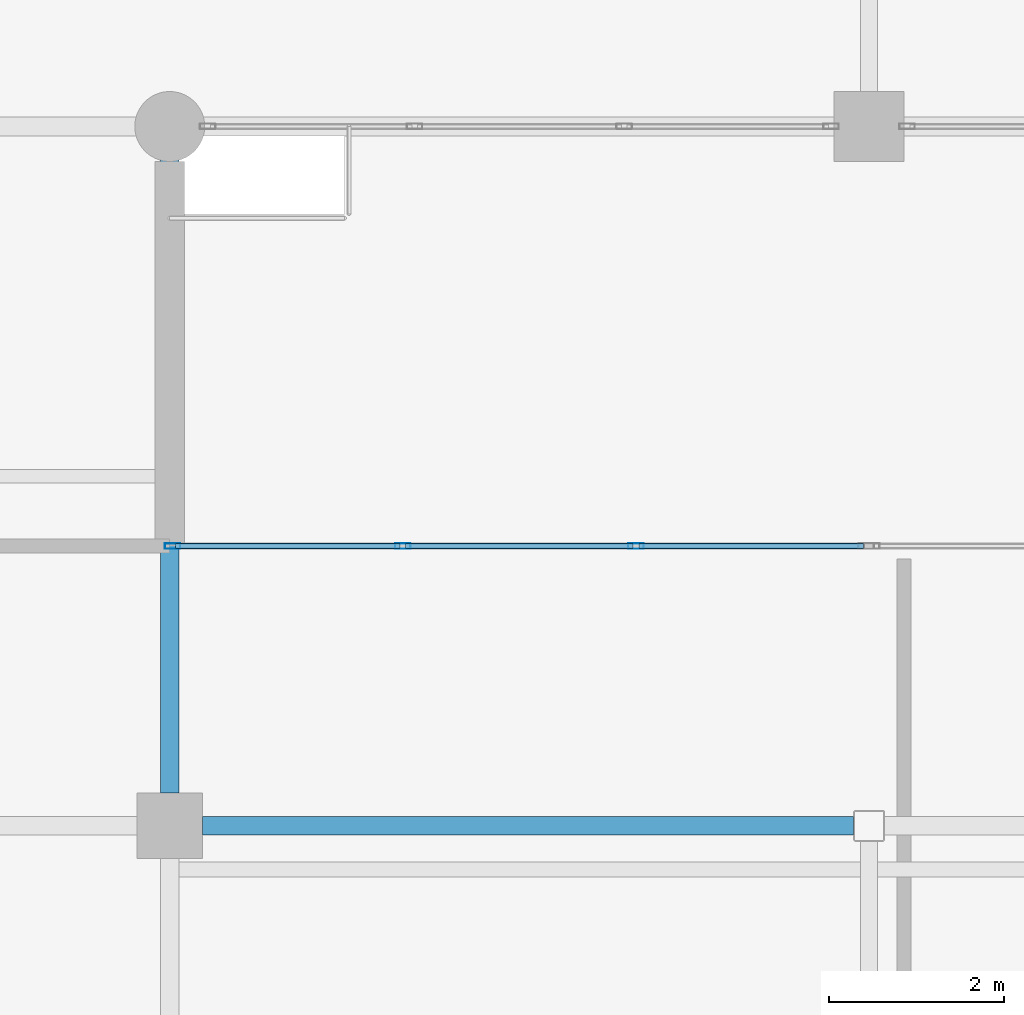
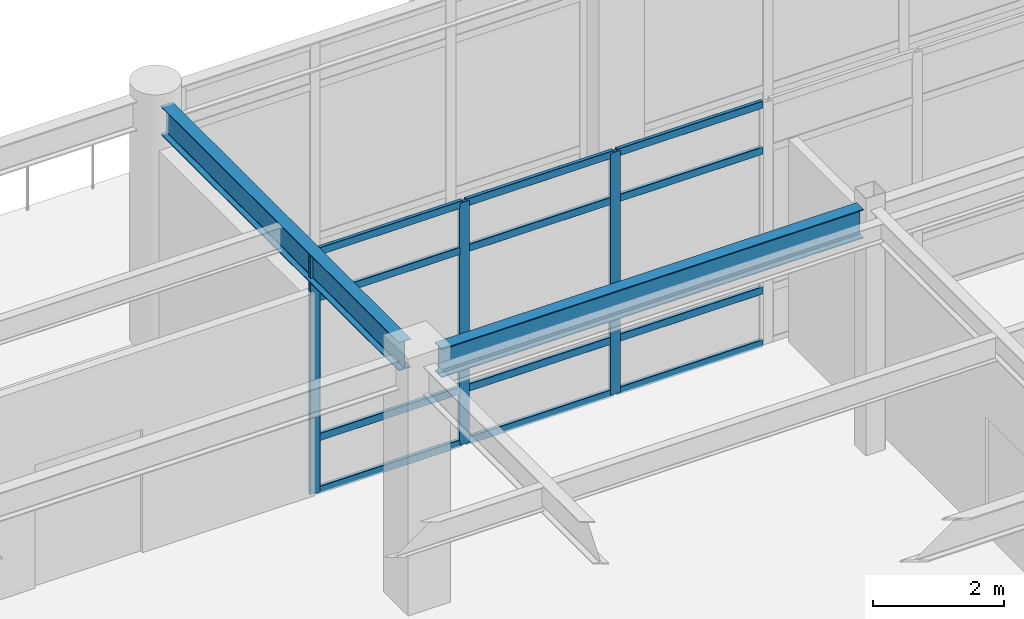
# One storey, part 33 of 117: 15 members, 2 beams, 1 element without a shape of its own.
"""IFC4 building model written with IfcOpenShell, lengths in metres."""

from ifc_helpers import new_model, si_unit, direction, frame, origin, origin_2d, place, context, subcontext, project, spatial, hollow_rectangle, i_section, extrude, material, material_profile, profile_set, type_object, element, aggregate, save


model = new_model("IFC4")

# Units and contexts
model_context = context("Model", 3, precision=1e-05, world=origin(), true_north=direction((0.0, 1.0)))
body_context = subcontext(model_context, "Body", "Model", "MODEL_VIEW")
ifc_project = project(units=[si_unit("LENGTHUNIT", "METRE"), si_unit("AREAUNIT", "SQUARE_METRE"), si_unit("VOLUMEUNIT", "CUBIC_METRE"), si_unit("PLANEANGLEUNIT", "RADIAN"), si_unit("MASSUNIT", "GRAM", prefix="KILO")], contexts=[model_context])

# Site, building, storey
site_placement = place(None, origin())
site = spatial("IfcSite", under=ifc_project, at=site_placement, CompositionType="ELEMENT")
building_placement = place(site_placement, origin())
building = spatial("IfcBuilding", under=site, at=building_placement, Name="Solmirada Galleria", CompositionType="ELEMENT")
storey_placement = place(building_placement, frame((0.0, 0.0, 5.60009765625)))
storey = spatial("IfcBuildingStorey", under=building, at=storey_placement, Name="L01", CompositionType="ELEMENT", Elevation=5.60009765625)

# Beams
ifc_material_1 = material(Name="Steel S355 / ASTM A992 Grade 50", Category="steel")
ifc_material_profile_1 = material_profile(ifc_material_1, i_section(OverallWidth=0.2099609375, OverallDepth=0.537109375, WebThickness=0.010986328125, FlangeThickness=0.017333984375, FilletRadius=0.014892578125, at=origin_2d()), Name="W21X68")
ifc_profile_set_1 = profile_set([ifc_material_profile_1], Name="Steel S355 / ASTM A992 Grade 50")
beam_type = type_object("IfcBeamType", Name="BM-GIRD-W21B", PredefinedType="BEAM", material=ifc_profile_set_1)
beam_1_placement = place(storey_placement, frame((96.375, 40.0, 4.29150390625), z_axis=(1.0, 0.0, 0.0), x_axis=(0.0, 1.0, 0.0)))
element("IfcBeam", 1, at=beam_1_placement, inside=storey, type_object=beam_type, Name="Primary beam L02 X(96..104, 40)", PredefinedType="BEAM", context=body_context, shape_type="SweptSolid", body=[
    extrude(i_section(OverallWidth=0.2099609375, OverallDepth=0.537109375, WebThickness=0.010986328125, FlangeThickness=0.017333984375, FilletRadius=0.014892578125, at=origin_2d()), origin(), (0.0, 0.0, 1.0), 7.447021484375),
])
beam_2_placement = place(storey_placement, frame((96.0, 40.375, 4.29150390625), z_axis=(0.0, 1.0, 0.0), x_axis=(-1.0, 0.0, 0.0)))
element("IfcBeam", 2, at=beam_2_placement, inside=storey, type_object=beam_type, Name="Primary girder L02 Y(96, 40..48)", PredefinedType="BEAM", context=body_context, shape_type="SweptSolid", body=[
    extrude(i_section(OverallWidth=0.2099609375, OverallDepth=0.537109375, WebThickness=0.010986328125, FlangeThickness=0.017333984375, FilletRadius=0.014892578125, at=origin_2d()), origin(), (0.0, 0.0, 1.0), 7.2890625),
])

# Curtain wall, members
ifc_material_2 = material(Name="Impact-resistant low-E double glazing", Category="glass")
curtain_wall_type = type_object("IfcCurtainWallType", Name="CW-FZ5-L01-B3-L080", PredefinedType="NOTDEFINED", material=ifc_material_2)
curtain_wall_placement = place(storey_placement, origin())
curtain_wall = element("IfcCurtainWall", 3, at=curtain_wall_placement, inside=storey, type_object=curtain_wall_type, Name="Terrace and arcade storefront CW-L01-073", PredefinedType="NOTDEFINED")
ifc_material_3 = material(Name="Anodised aluminium framing", Category="aluminium")
ifc_material_profile_2 = material_profile(ifc_material_3, hollow_rectangle(XDim=0.06494140625, YDim=0.179931640625, WallThickness=0.00390625, InnerFilletRadius=0.00390625, OuterFilletRadius=0.008056640625, at=origin_2d()), Name="ALU-MULL-180X65")
ifc_profile_set_2 = profile_set([ifc_material_profile_2], Name="Anodised aluminium framing")
member_type_1 = type_object("IfcMemberType", Name="CW-MULL-180", PredefinedType="MULLION", material=ifc_profile_set_2)
member_1_placement = place(storey_placement, frame((96.032470703125, 43.199951171875, 0.0), z_axis=(0.0, 0.0, 1.0), x_axis=(0.0, 1.0, 0.0)))
member_1 = element("IfcMember", 4, at=member_1_placement, type_object=member_type_1, Name="CW17 mullion 1", PredefinedType="MULLION", context=body_context, shape_type="SweptSolid", body=[
    extrude(hollow_rectangle(XDim=0.06494140625, YDim=0.179931640625, WallThickness=0.00390625, InnerFilletRadius=0.00390625, OuterFilletRadius=0.008056640625, at=origin_2d()), origin(), (0.0, 0.0, 1.0), 4.52001953125),
])
member_2_placement = place(storey_placement, frame((98.666748046875, 43.199951171875, 0.0), z_axis=(0.0, 0.0, 1.0), x_axis=(0.0, 1.0, 0.0)))
member_2 = element("IfcMember", 5, at=member_2_placement, type_object=member_type_1, Name="CW17 mullion 2", PredefinedType="MULLION", context=body_context, shape_type="SweptSolid", body=[
    extrude(hollow_rectangle(XDim=0.06494140625, YDim=0.179931640625, WallThickness=0.00390625, InnerFilletRadius=0.00390625, OuterFilletRadius=0.008056640625, at=origin_2d()), origin(), (0.0, 0.0, 1.0), 4.52001953125),
])
member_3_placement = place(storey_placement, frame((101.333251953125, 43.199951171875, 0.0), z_axis=(0.0, 0.0, 1.0), x_axis=(0.0, 1.0, 0.0)))
member_3 = element("IfcMember", 6, at=member_3_placement, type_object=member_type_1, Name="CW17 mullion 3", PredefinedType="MULLION", context=body_context, shape_type="SweptSolid", body=[
    extrude(hollow_rectangle(XDim=0.06494140625, YDim=0.179931640625, WallThickness=0.00390625, InnerFilletRadius=0.00390625, OuterFilletRadius=0.008056640625, at=origin_2d()), origin(), (0.0, 0.0, 1.0), 4.52001953125),
])
ifc_material_profile_3 = material_profile(ifc_material_3, hollow_rectangle(XDim=0.06494140625, YDim=0.139892578125, WallThickness=0.00341796875, InnerFilletRadius=0.00341796875, OuterFilletRadius=0.007080078125, at=origin_2d()), Name="ALU-TRAN-140X65")
ifc_profile_set_3 = profile_set([ifc_material_profile_3], Name="Anodised aluminium framing")
member_type_2 = type_object("IfcMemberType", Name="CW-TRAN-140", PredefinedType="USERDEFINED", material=ifc_profile_set_3)
member_4_placement = place(storey_placement, frame((96.06494140625, 43.199951171875, 0.032470703125), z_axis=(1.0, 0.0, 0.0), x_axis=(0.0, 1.0, 0.0)))
member_4 = element("IfcMember", 7, at=member_4_placement, type_object=member_type_2, Name="CW17 transom 1.1", ObjectType="TRANSOM", PredefinedType="USERDEFINED", context=body_context, shape_type="SweptSolid", body=[
    extrude(hollow_rectangle(XDim=0.06494140625, YDim=0.139892578125, WallThickness=0.00341796875, InnerFilletRadius=0.00341796875, OuterFilletRadius=0.007080078125, at=origin_2d()), origin(), (0.0, 0.0, 1.0), 2.5693359375),
])
member_5_placement = place(storey_placement, frame((96.06494140625, 43.199951171875, 1.02001953125), z_axis=(1.0, 0.0, 0.0), x_axis=(0.0, 1.0, 0.0)))
member_5 = element("IfcMember", 8, at=member_5_placement, type_object=member_type_2, Name="CW17 transom 1.2", ObjectType="TRANSOM", PredefinedType="USERDEFINED", context=body_context, shape_type="SweptSolid", body=[
    extrude(hollow_rectangle(XDim=0.06494140625, YDim=0.139892578125, WallThickness=0.00341796875, InnerFilletRadius=0.00341796875, OuterFilletRadius=0.007080078125, at=origin_2d()), origin(), (0.0, 0.0, 1.0), 2.5693359375),
])
member_6_placement = place(storey_placement, frame((96.06494140625, 43.199951171875, 3.6298828125), z_axis=(1.0, 0.0, 0.0), x_axis=(0.0, 1.0, 0.0)))
member_6 = element("IfcMember", 9, at=member_6_placement, type_object=member_type_2, Name="CW17 transom 1.3", ObjectType="TRANSOM", PredefinedType="USERDEFINED", context=body_context, shape_type="SweptSolid", body=[
    extrude(hollow_rectangle(XDim=0.06494140625, YDim=0.139892578125, WallThickness=0.00341796875, InnerFilletRadius=0.00341796875, OuterFilletRadius=0.007080078125, at=origin_2d()), origin(), (0.0, 0.0, 1.0), 2.5693359375),
])
member_7_placement = place(storey_placement, frame((96.06494140625, 43.199951171875, 4.4873046875), z_axis=(1.0, 0.0, 0.0), x_axis=(0.0, 1.0, 0.0)))
member_7 = element("IfcMember", 10, at=member_7_placement, type_object=member_type_2, Name="CW17 transom 1.4", ObjectType="TRANSOM", PredefinedType="USERDEFINED", context=body_context, shape_type="SweptSolid", body=[
    extrude(hollow_rectangle(XDim=0.06494140625, YDim=0.139892578125, WallThickness=0.00341796875, InnerFilletRadius=0.00341796875, OuterFilletRadius=0.007080078125, at=origin_2d()), origin(), (0.0, 0.0, 1.0), 2.5693359375),
])
member_8_placement = place(storey_placement, frame((98.69921875, 43.199951171875, 0.032470703125), z_axis=(1.0, 0.0, 0.0), x_axis=(0.0, 1.0, 0.0)))
member_8 = element("IfcMember", 11, at=member_8_placement, type_object=member_type_2, Name="CW17 transom 2.1", ObjectType="TRANSOM", PredefinedType="USERDEFINED", context=body_context, shape_type="SweptSolid", body=[
    extrude(hollow_rectangle(XDim=0.06494140625, YDim=0.139892578125, WallThickness=0.00341796875, InnerFilletRadius=0.00341796875, OuterFilletRadius=0.007080078125, at=origin_2d()), origin(), (0.0, 0.0, 1.0), 2.6015625),
])
member_9_placement = place(storey_placement, frame((98.69921875, 43.199951171875, 1.02001953125), z_axis=(1.0, 0.0, 0.0), x_axis=(0.0, 1.0, 0.0)))
member_9 = element("IfcMember", 12, at=member_9_placement, type_object=member_type_2, Name="CW17 transom 2.2", ObjectType="TRANSOM", PredefinedType="USERDEFINED", context=body_context, shape_type="SweptSolid", body=[
    extrude(hollow_rectangle(XDim=0.06494140625, YDim=0.139892578125, WallThickness=0.00341796875, InnerFilletRadius=0.00341796875, OuterFilletRadius=0.007080078125, at=origin_2d()), origin(), (0.0, 0.0, 1.0), 2.6015625),
])
member_10_placement = place(storey_placement, frame((98.69921875, 43.199951171875, 3.6298828125), z_axis=(1.0, 0.0, 0.0), x_axis=(0.0, 1.0, 0.0)))
member_10 = element("IfcMember", 13, at=member_10_placement, type_object=member_type_2, Name="CW17 transom 2.3", ObjectType="TRANSOM", PredefinedType="USERDEFINED", context=body_context, shape_type="SweptSolid", body=[
    extrude(hollow_rectangle(XDim=0.06494140625, YDim=0.139892578125, WallThickness=0.00341796875, InnerFilletRadius=0.00341796875, OuterFilletRadius=0.007080078125, at=origin_2d()), origin(), (0.0, 0.0, 1.0), 2.6015625),
])
member_11_placement = place(storey_placement, frame((98.69921875, 43.199951171875, 4.4873046875), z_axis=(1.0, 0.0, 0.0), x_axis=(0.0, 1.0, 0.0)))
member_11 = element("IfcMember", 14, at=member_11_placement, type_object=member_type_2, Name="CW17 transom 2.4", ObjectType="TRANSOM", PredefinedType="USERDEFINED", context=body_context, shape_type="SweptSolid", body=[
    extrude(hollow_rectangle(XDim=0.06494140625, YDim=0.139892578125, WallThickness=0.00341796875, InnerFilletRadius=0.00341796875, OuterFilletRadius=0.007080078125, at=origin_2d()), origin(), (0.0, 0.0, 1.0), 2.6015625),
])
member_12_placement = place(storey_placement, frame((101.36572265625, 43.199951171875, 0.032470703125), z_axis=(1.0, 0.0, 0.0), x_axis=(0.0, 1.0, 0.0)))
member_12 = element("IfcMember", 15, at=member_12_placement, type_object=member_type_2, Name="CW17 transom 3.1", ObjectType="TRANSOM", PredefinedType="USERDEFINED", context=body_context, shape_type="SweptSolid", body=[
    extrude(hollow_rectangle(XDim=0.06494140625, YDim=0.139892578125, WallThickness=0.00341796875, InnerFilletRadius=0.00341796875, OuterFilletRadius=0.007080078125, at=origin_2d()), origin(), (0.0, 0.0, 1.0), 2.5693359375),
])
member_13_placement = place(storey_placement, frame((101.36572265625, 43.199951171875, 1.02001953125), z_axis=(1.0, 0.0, 0.0), x_axis=(0.0, 1.0, 0.0)))
member_13 = element("IfcMember", 16, at=member_13_placement, type_object=member_type_2, Name="CW17 transom 3.2", ObjectType="TRANSOM", PredefinedType="USERDEFINED", context=body_context, shape_type="SweptSolid", body=[
    extrude(hollow_rectangle(XDim=0.06494140625, YDim=0.139892578125, WallThickness=0.00341796875, InnerFilletRadius=0.00341796875, OuterFilletRadius=0.007080078125, at=origin_2d()), origin(), (0.0, 0.0, 1.0), 2.5693359375),
])
member_14_placement = place(storey_placement, frame((101.36572265625, 43.199951171875, 3.6298828125), z_axis=(1.0, 0.0, 0.0), x_axis=(0.0, 1.0, 0.0)))
member_14 = element("IfcMember", 17, at=member_14_placement, type_object=member_type_2, Name="CW17 transom 3.3", ObjectType="TRANSOM", PredefinedType="USERDEFINED", context=body_context, shape_type="SweptSolid", body=[
    extrude(hollow_rectangle(XDim=0.06494140625, YDim=0.139892578125, WallThickness=0.00341796875, InnerFilletRadius=0.00341796875, OuterFilletRadius=0.007080078125, at=origin_2d()), origin(), (0.0, 0.0, 1.0), 2.5693359375),
])
member_15_placement = place(storey_placement, frame((101.36572265625, 43.199951171875, 4.4873046875), z_axis=(1.0, 0.0, 0.0), x_axis=(0.0, 1.0, 0.0)))
member_15 = element("IfcMember", 18, at=member_15_placement, type_object=member_type_2, Name="CW17 transom 3.4", ObjectType="TRANSOM", PredefinedType="USERDEFINED", context=body_context, shape_type="SweptSolid", body=[
    extrude(hollow_rectangle(XDim=0.06494140625, YDim=0.139892578125, WallThickness=0.00341796875, InnerFilletRadius=0.00341796875, OuterFilletRadius=0.007080078125, at=origin_2d()), origin(), (0.0, 0.0, 1.0), 2.5693359375),
])
aggregate(curtain_wall, [member_1, member_2, member_3, member_4, member_5, member_6, member_7, member_8, member_9, member_10, member_11, member_12, member_13, member_14, member_15])

save(model, "model.ifc")
